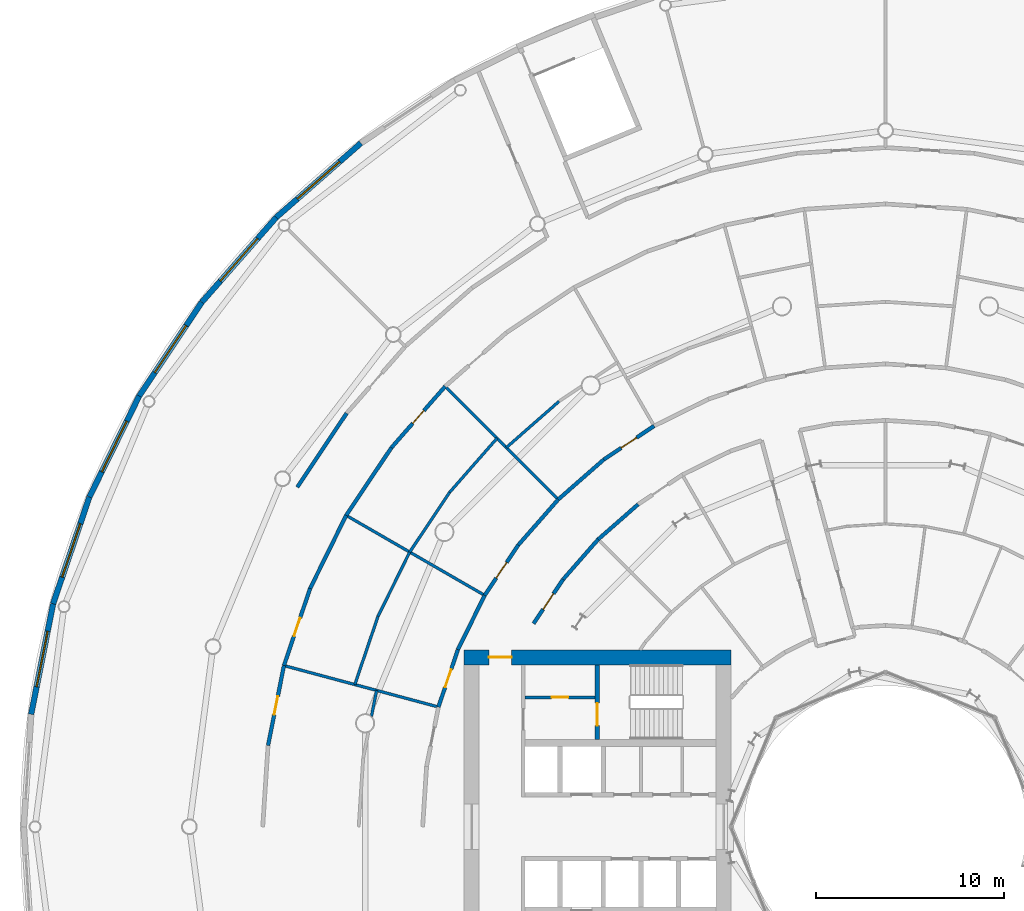
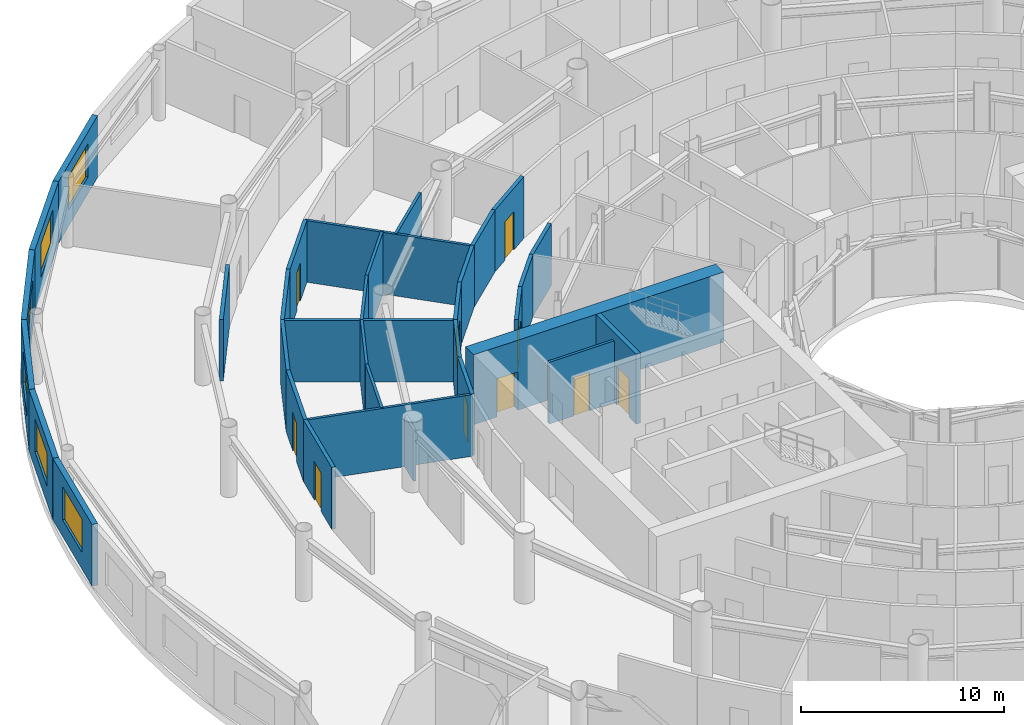
# One storey, part 19 of 29: 33 walls, 10 doors, 6 windows, 16 openings.
"""IFC4 building model written with IfcOpenShell, lengths in metres."""

from ifc_helpers import new_model, si_unit, direction, frame, frame_2d, origin, place, context, subcontext, project, spatial, rectangle, extrude, material, layer, layer_set, type_object, element, fill, save


model = new_model("IFC4")

# Units and contexts
model_context = context("Model", 3, precision=1e-05, world=origin(), true_north=direction((0.0, 1.0)))
body_context = subcontext(model_context, "Body", "Model", "MODEL_VIEW")
ifc_project = project(units=[si_unit("LENGTHUNIT", "METRE"), si_unit("AREAUNIT", "SQUARE_METRE"), si_unit("VOLUMEUNIT", "CUBIC_METRE"), si_unit("PLANEANGLEUNIT", "RADIAN"), si_unit("MASSUNIT", "GRAM", prefix="KILO")], contexts=[model_context])

# Site, building, storey
site_placement = place(None, origin())
site = spatial("IfcSite", under=ifc_project, at=site_placement, CompositionType="ELEMENT")
building_placement = place(site_placement, origin())
building = spatial("IfcBuilding", under=site, at=building_placement, Name="Maasbend Ring Residences", CompositionType="ELEMENT")
storey_placement = place(building_placement, frame((0.0, 0.0, 5.39990234375)))
storey = spatial("IfcBuildingStorey", under=building, at=storey_placement, Name="L01", CompositionType="ELEMENT", Elevation=5.39990234375)

# Wall, opening, door
ifc_material_1 = material(Name="Concrete C70/85", Category="concrete")
ifc_layer_1 = layer(ifc_material_1, 0.25)
ifc_layer_set_1 = layer_set([ifc_layer_1], Name="Concrete C70/85")
wall_type_1 = type_object("IfcWallType", Name="CORE WALL 250 C70/85", PredefinedType="SHEAR", material=ifc_layer_set_1)
wall_1_placement = place(storey_placement, frame((-15.324951171875, 8.60009765625, 0.0), z_axis=(0.0, 0.0, 1.0), x_axis=(0.0, -1.0, 0.0)))
wall_1 = element("IfcWall", 1, at=wall_1_placement, inside=storey, type_object=wall_type_1, Name="L01 core W wall STES", PredefinedType="SHEAR", context=body_context, shape_type="SweptSolid", body=[
    extrude(rectangle(XDim=3.9501953125, YDim=0.25, at=frame_2d((1.97509765625, 0.0))), origin(), (0.0, 0.0, 1.0), 4.2001953125),
])
opening_1_placement = place(wall_1_placement, frame((2.02490234375, 0.0, 0.0)))
opening_1 = element("IfcOpeningElement", 2, at=opening_1_placement, cuts=wall_1, Name="Opening D-W0111", PredefinedType="OPENING", context=body_context, shape_type="SweptSolid", body=[
    extrude(rectangle(XDim=1.199951171875, YDim=2.300048828125, at=frame_2d((0.60009765625, 1.14990234375))), frame((0.0, 0.135009765625, 0.0), z_axis=(0.0, -1.0, 0.0), x_axis=(1.0, 0.0, 0.0)), (0.0, 0.0, 1.0), 0.27001953125),
])
ifc_material_2 = material(Name="Steel, powder coated", Category="steel")
door_type_1 = type_object("IfcDoorType", Name="STAIR DOOR 1200 X 2300 FD60", OperationType="NOTDEFINED", PredefinedType="DOOR", material=ifc_material_2)
door_1_placement = place(opening_1_placement, origin())
door_1 = element("IfcDoor", 3, at=door_1_placement, inside=storey, type_object=door_type_1, Name="Stair door ST-W L01", OperationType="SINGLE_SWING_LEFT", OverallHeight=2.300048828125, OverallWidth=1.199951171875, PredefinedType="DOOR", context=body_context, shape_type="SweptSolid", body=[
    extrude(rectangle(XDim=1.199951171875, YDim=2.300048828125, at=frame_2d((0.60009765625, 1.14990234375))), frame((0.0, 0.02490234375, 0.0), z_axis=(0.0, -1.0, 0.0), x_axis=(1.0, 0.0, 0.0)), (0.0, 0.0, 1.0), 0.050048828125),
])
fill(opening_1, door_1)

ifc_material_3 = material(Name="Concrete C70/85", Category="concrete")
ifc_layer_2 = layer(ifc_material_3, 0.800048828125)
ifc_layer_set_2 = layer_set([ifc_layer_2], Name="Concrete C70/85")
wall_type_2 = type_object("IfcWallType", Name="CORE WALL 800 C70/85", PredefinedType="SHEAR", material=ifc_layer_set_2)
wall_2_placement = place(storey_placement, frame((-8.199951171875, 9.0, 0.0), z_axis=(0.0, 0.0, 1.0), x_axis=(-1.0, 0.0, 0.0)))
wall_2 = element("IfcWall", 4, at=wall_2_placement, inside=storey, type_object=wall_type_2, Name="L01 core W wall PS", PredefinedType="SHEAR", context=body_context, shape_type="SweptSolid", body=[
    extrude(rectangle(XDim=14.199951171875, YDim=0.800048828125, at=frame_2d((7.10009765625, 0.0))), origin(), (0.0, 0.0, 1.0), 4.2001953125),
])
opening_2_placement = place(wall_2_placement, frame((11.675048828125, 0.0, 0.0)))
opening_2 = element("IfcOpeningElement", 5, at=opening_2_placement, cuts=wall_2, Name="Opening D-W0115", PredefinedType="OPENING", context=body_context, shape_type="SweptSolid", body=[
    extrude(rectangle(XDim=1.199951171875, YDim=2.300048828125, at=frame_2d((0.60009765625, 1.14990234375))), frame((0.0, 0.41015625, 0.0), z_axis=(0.0, -1.0, 0.0), x_axis=(1.0, 0.0, 0.0)), (0.0, 0.0, 1.0), 0.820068359375),
])
ifc_material_4 = material(Name="Steel, powder coated", Category="steel")
door_type_2 = type_object("IfcDoorType", Name="CORRIDOR DOOR 1200 X 2300 FD30S", OperationType="NOTDEFINED", PredefinedType="DOOR", material=ifc_material_4)
door_2_placement = place(opening_2_placement, origin())
door_2 = element("IfcDoor", 6, at=door_2_placement, inside=storey, type_object=door_type_2, Name="Corridor door L01", OperationType="SINGLE_SWING_LEFT", OverallHeight=2.300048828125, OverallWidth=1.199951171875, PredefinedType="DOOR", context=body_context, shape_type="SweptSolid", body=[
    extrude(rectangle(XDim=1.199951171875, YDim=2.300048828125, at=frame_2d((0.60009765625, 1.14990234375))), frame((0.0, 0.02490234375, 0.0), z_axis=(0.0, -1.0, 0.0), x_axis=(1.0, 0.0, 0.0)), (0.0, 0.0, 1.0), 0.050048828125),
])
fill(opening_2, door_2)

ifc_material_5 = material(Name="Concrete C30/37", Category="concrete")
ifc_layer_3 = layer(ifc_material_5, 0.199951171875)
ifc_layer_set_3 = layer_set([ifc_layer_3], Name="Concrete C30/37")
wall_type_3 = type_object("IfcWallType", Name="CORRIDOR WALL 200 CONCRETE", PredefinedType="PARTITIONING", material=ifc_layer_set_3)
wall_3_placement = place(storey_placement, frame((-18.7060546875, 10.800048828125, 0.0), z_axis=(0.0, 0.0, 1.0), x_axis=(0.55571678686, 0.831371669473, 0.0)))
wall_3 = element("IfcWall", 7, at=wall_3_placement, inside=storey, type_object=wall_type_3, Name="U-L01-w224", PredefinedType="PARTITIONING", context=body_context, shape_type="SweptSolid", body=[
    extrude(rectangle(XDim=2.8251953125, YDim=0.199951171875, at=frame_2d((1.41259765625, 0.0))), origin(), (0.0, 0.0, 1.0), 3.7001953125),
])
opening_3_placement = place(wall_3_placement, frame((0.9130859375, 0.0, 0.0)))
opening_3 = element("IfcOpeningElement", 8, at=opening_3_placement, cuts=wall_3, Name="Opening D-0121", PredefinedType="OPENING", context=body_context, shape_type="SweptSolid", body=[
    extrude(rectangle(XDim=1.0, YDim=2.300048828125, at=frame_2d((0.5, 1.14990234375))), frame((0.0, 0.10986328125, 0.0), z_axis=(0.0, -1.0, 0.0), x_axis=(1.0, 0.0, 0.0)), (0.0, 0.0, 1.0), 0.219970703125),
])
ifc_material_6 = material(Name="Timber, painted", Category="wood")
door_type_3 = type_object("IfcDoorType", Name="ROOM DOOR 1000 X 2300", OperationType="NOTDEFINED", PredefinedType="DOOR", material=ifc_material_6)
door_3_placement = place(opening_3_placement, origin())
door_3 = element("IfcDoor", 9, at=door_3_placement, inside=storey, type_object=door_type_3, Name="D-0121", OperationType="SINGLE_SWING_RIGHT", OverallHeight=2.300048828125, OverallWidth=1.0, PredefinedType="DOOR", context=body_context, shape_type="SweptSolid", body=[
    extrude(rectangle(XDim=1.0, YDim=2.300048828125, at=frame_2d((0.5, 1.14990234375))), frame((0.0, 0.02490234375, 0.0), z_axis=(0.0, -1.0, 0.0), x_axis=(1.0, 0.0, 0.0)), (0.0, 0.0, 1.0), 0.050048828125),
])
fill(opening_3, door_3)

# Walls
for number, where, z_axis, x_axis, name in (
    (10, (-17.135986328125, 13.14892578125, 0.0), (0.0, 0.0, 1.0), (0.659042776199, 0.752105457459, 0.0), "U-L01-w225"),
    (11, (-15.27392578125, 15.27392578125, 0.0), (0.0, 0.0, 1.0), (0.752105457459, 0.659042776199, 0.0), "U-L01-w226"),
):
    element("IfcWall", number, at=place(storey_placement, frame(where, z_axis=z_axis, x_axis=x_axis)), inside=storey, type_object=wall_type_3, Name=name, PredefinedType="PARTITIONING", context=body_context, shape_type="SweptSolid", body=[
        extrude(rectangle(XDim=2.825439453125, YDim=0.199951171875, at=frame_2d((1.41259765625, 0.0))), origin(), (0.0, 0.0, 1.0), 3.7001953125),
    ])

# Wall, opening, door
wall_4_placement = place(storey_placement, frame((-23.761962890625, 6.366943359375, 0.0), z_axis=(0.0, 0.0, 1.0), x_axis=(0.321593976879, 0.946877665823, 0.0)))
wall_4 = element("IfcWall", 12, at=wall_4_placement, inside=storey, type_object=wall_type_3, Name="U-L01-w242", PredefinedType="PARTITIONING", context=body_context, shape_type="SweptSolid", body=[
    extrude(rectangle(XDim=3.218017578125, YDim=0.199951171875, at=frame_2d((1.60888671875, 0.0))), origin(), (0.0, 0.0, 1.0), 3.7001953125),
])
opening_4_placement = place(wall_4_placement, frame((1.10888671875, 0.0, 0.0)))
opening_4 = element("IfcOpeningElement", 13, at=opening_4_placement, cuts=wall_4, Name="Opening D-0150", PredefinedType="OPENING", context=body_context, shape_type="SweptSolid", body=[
    extrude(rectangle(XDim=1.0, YDim=2.300048828125, at=frame_2d((0.5, 1.14990234375))), frame((0.0, 0.10986328125, 0.0), z_axis=(0.0, -1.0, 0.0), x_axis=(1.0, 0.0, 0.0)), (0.0, 0.0, 1.0), 0.219970703125),
])
door_4_placement = place(opening_4_placement, origin())
door_4 = element("IfcDoor", 14, at=door_4_placement, inside=storey, type_object=door_type_3, Name="D-0150", OperationType="SINGLE_SWING_LEFT", OverallHeight=2.300048828125, OverallWidth=1.0, PredefinedType="DOOR", context=body_context, shape_type="SweptSolid", body=[
    extrude(rectangle(XDim=1.0, YDim=2.300048828125, at=frame_2d((0.5, 1.14990234375))), frame((0.0, 0.02490234375, 0.0), z_axis=(0.0, -1.0, 0.0), x_axis=(1.0, 0.0, 0.0)), (0.0, 0.0, 1.0), 0.050048828125),
])
fill(opening_4, door_4)

# Wall
wall_5_placement = place(storey_placement, frame((-22.72705078125, 9.4140625, 0.0), z_axis=(0.0, 0.0, 1.0), x_axis=(0.442259878763, 0.896886949195, 0.0)))
element("IfcWall", 15, at=wall_5_placement, inside=storey, type_object=wall_type_3, Name="U-L01-w243", PredefinedType="PARTITIONING", context=body_context, shape_type="SweptSolid", body=[
    extrude(rectangle(XDim=3.2177734375, YDim=0.199951171875, at=frame_2d((1.60888671875, 0.0))), origin(), (0.0, 0.0, 1.0), 3.7001953125),
])

# Wall, opening, door
wall_6_placement = place(storey_placement, frame((-21.303955078125, 12.300048828125, 0.0), z_axis=(0.0, 0.0, 1.0), x_axis=(0.555522714148, 0.831501361433, 0.0)))
wall_6 = element("IfcWall", 16, at=wall_6_placement, inside=storey, type_object=wall_type_3, Name="U-L01-w244", PredefinedType="PARTITIONING", context=body_context, shape_type="SweptSolid", body=[
    extrude(rectangle(XDim=3.21826171875, YDim=0.199951171875, at=frame_2d((1.609130859375, 0.0))), origin(), (0.0, 0.0, 1.0), 3.7001953125),
])
opening_5_placement = place(wall_6_placement, frame((1.10888671875, 0.0, 0.0)))
opening_5 = element("IfcOpeningElement", 17, at=opening_5_placement, cuts=wall_6, Name="Opening D-0148", PredefinedType="OPENING", context=body_context, shape_type="SweptSolid", body=[
    extrude(rectangle(XDim=1.0, YDim=2.300048828125, at=frame_2d((0.5, 1.14990234375))), frame((0.0, 0.10986328125, 0.0), z_axis=(0.0, -1.0, 0.0), x_axis=(1.0, 0.0, 0.0)), (0.0, 0.0, 1.0), 0.219970703125),
])
door_5_placement = place(opening_5_placement, origin())
door_5 = element("IfcDoor", 18, at=door_5_placement, inside=storey, type_object=door_type_3, Name="D-0148", OperationType="SINGLE_SWING_LEFT", OverallHeight=2.300048828125, OverallWidth=1.0, PredefinedType="DOOR", context=body_context, shape_type="SweptSolid", body=[
    extrude(rectangle(XDim=1.0, YDim=2.300048828125, at=frame_2d((0.5, 1.14990234375))), frame((0.0, 0.02490234375, 0.0), z_axis=(0.0, -1.0, 0.0), x_axis=(1.0, 0.0, 0.0)), (0.0, 0.0, 1.0), 0.050048828125),
])
fill(opening_5, door_5)

# Walls
for number, where, z_axis, x_axis, name in (
    (19, (-19.51611328125, 14.97607421875, 0.0), (0.0, 0.0, 1.0), (0.659299366608, 0.751880539175, 0.0), "U-L01-w245"),
    (20, (-17.39501953125, 17.39501953125, 0.0), (0.0, 0.0, 1.0), (0.751880539175, 0.659299366608, 0.0), "U-L01-w246"),
):
    element("IfcWall", number, at=place(storey_placement, frame(where, z_axis=z_axis, x_axis=x_axis)), inside=storey, type_object=wall_type_3, Name=name, PredefinedType="PARTITIONING", context=body_context, shape_type="SweptSolid", body=[
        extrude(rectangle(XDim=3.21728515625, YDim=0.199951171875, at=frame_2d((1.608642578125, 0.0))), origin(), (0.0, 0.0, 1.0), 3.7001953125),
    ])

# Wall, opening, door
wall_7_placement = place(storey_placement, frame((-14.97607421875, 19.51611328125, 0.0), z_axis=(0.0, 0.0, 1.0), x_axis=(0.831501361433, 0.555522714148, 0.0)))
wall_7 = element("IfcWall", 21, at=wall_7_placement, inside=storey, type_object=wall_type_3, Name="U-L01-w247", PredefinedType="PARTITIONING", context=body_context, shape_type="SweptSolid", body=[
    extrude(rectangle(XDim=3.21826171875, YDim=0.199951171875, at=frame_2d((1.609130859375, 0.0))), origin(), (0.0, 0.0, 1.0), 3.7001953125),
])
opening_6_placement = place(wall_7_placement, frame((1.10888671875, 0.0, 0.0)))
opening_6 = element("IfcOpeningElement", 22, at=opening_6_placement, cuts=wall_7, Name="Opening D-0146", PredefinedType="OPENING", context=body_context, shape_type="SweptSolid", body=[
    extrude(rectangle(XDim=1.0, YDim=2.300048828125, at=frame_2d((0.5, 1.14990234375))), frame((0.0, 0.10986328125, 0.0), z_axis=(0.0, -1.0, 0.0), x_axis=(1.0, 0.0, 0.0)), (0.0, 0.0, 1.0), 0.219970703125),
])
door_6_placement = place(opening_6_placement, origin())
door_6 = element("IfcDoor", 23, at=door_6_placement, inside=storey, type_object=door_type_3, Name="D-0146", OperationType="SINGLE_SWING_LEFT", OverallHeight=2.300048828125, OverallWidth=1.0, PredefinedType="DOOR", context=body_context, shape_type="SweptSolid", body=[
    extrude(rectangle(XDim=1.0, YDim=2.300048828125, at=frame_2d((0.5, 1.14990234375))), frame((0.0, 0.02490234375, 0.0), z_axis=(0.0, -1.0, 0.0), x_axis=(1.0, 0.0, 0.0)), (0.0, 0.0, 1.0), 0.050048828125),
])
fill(opening_6, door_6)

wall_8_placement = place(storey_placement, frame((-32.81689453125, 4.320068359375, 0.0), z_axis=(0.0, 0.0, 1.0), x_axis=(0.195140185298, 0.980775360662, 0.0)))
wall_8 = element("IfcWall", 24, at=wall_8_placement, inside=storey, type_object=wall_type_3, Name="U-L01-w284", PredefinedType="PARTITIONING", context=body_context, shape_type="SweptSolid", body=[
    extrude(rectangle(XDim=4.330078125, YDim=0.199951171875, at=frame_2d((2.1650390625, 0.0))), origin(), (0.0, 0.0, 1.0), 3.7001953125),
])
opening_7_placement = place(wall_8_placement, frame((1.6650390625, 0.0, 0.0)))
opening_7 = element("IfcOpeningElement", 25, at=opening_7_placement, cuts=wall_8, Name="Opening D-0153", PredefinedType="OPENING", context=body_context, shape_type="SweptSolid", body=[
    extrude(rectangle(XDim=1.0, YDim=2.300048828125, at=frame_2d((0.5, 1.14990234375))), frame((0.0, 0.10986328125, 0.0), z_axis=(0.0, -1.0, 0.0), x_axis=(1.0, 0.0, 0.0)), (0.0, 0.0, 1.0), 0.219970703125),
])
door_7_placement = place(opening_7_placement, origin())
door_7 = element("IfcDoor", 26, at=door_7_placement, inside=storey, type_object=door_type_3, Name="D-0153", OperationType="SINGLE_SWING_RIGHT", OverallHeight=2.300048828125, OverallWidth=1.0, PredefinedType="DOOR", context=body_context, shape_type="SweptSolid", body=[
    extrude(rectangle(XDim=1.0, YDim=2.300048828125, at=frame_2d((0.5, 1.14990234375))), frame((0.0, 0.02490234375, 0.0), z_axis=(0.0, -1.0, 0.0), x_axis=(1.0, 0.0, 0.0)), (0.0, 0.0, 1.0), 0.050048828125),
])
fill(opening_7, door_7)

wall_9_placement = place(storey_placement, frame((-31.971923828125, 8.56689453125, 0.0), z_axis=(0.0, 0.0, 1.0), x_axis=(0.3214498388, 0.946926608104, 0.0)))
wall_9 = element("IfcWall", 27, at=wall_9_placement, inside=storey, type_object=wall_type_3, Name="U-L01-w285", PredefinedType="PARTITIONING", context=body_context, shape_type="SweptSolid", body=[
    extrude(rectangle(XDim=4.329833984375, YDim=0.199951171875, at=frame_2d((2.1650390625, 0.0))), origin(), (0.0, 0.0, 1.0), 3.7001953125),
])
opening_8_placement = place(wall_9_placement, frame((1.6650390625, 0.0, 0.0)))
opening_8 = element("IfcOpeningElement", 28, at=opening_8_placement, cuts=wall_9, Name="Opening D-0151", PredefinedType="OPENING", context=body_context, shape_type="SweptSolid", body=[
    extrude(rectangle(XDim=1.0, YDim=2.300048828125, at=frame_2d((0.5, 1.14990234375))), frame((0.0, 0.10986328125, 0.0), z_axis=(0.0, -1.0, 0.0), x_axis=(1.0, 0.0, 0.0)), (0.0, 0.0, 1.0), 0.219970703125),
])
door_8_placement = place(opening_8_placement, origin())
door_8 = element("IfcDoor", 29, at=door_8_placement, inside=storey, type_object=door_type_3, Name="D-0151", OperationType="SINGLE_SWING_RIGHT", OverallHeight=2.300048828125, OverallWidth=1.0, PredefinedType="DOOR", context=body_context, shape_type="SweptSolid", body=[
    extrude(rectangle(XDim=1.0, YDim=2.300048828125, at=frame_2d((0.5, 1.14990234375))), frame((0.0, 0.02490234375, 0.0), z_axis=(0.0, -1.0, 0.0), x_axis=(1.0, 0.0, 0.0)), (0.0, 0.0, 1.0), 0.050048828125),
])
fill(opening_8, door_8)

# Walls
wall_10_placement = place(storey_placement, frame((-30.580078125, 12.6669921875, 0.0), z_axis=(0.0, 0.0, 1.0), x_axis=(0.442312366853, 0.89686106512, 0.0)))
element("IfcWall", 30, at=wall_10_placement, inside=storey, type_object=wall_type_3, Name="U-L01-w286", PredefinedType="PARTITIONING", context=body_context, shape_type="SweptSolid", body=[
    extrude(rectangle(XDim=4.32958984375, YDim=0.199951171875, at=frame_2d((2.164794921875, 0.0))), origin(), (0.0, 0.0, 1.0), 3.7001953125),
])
wall_11_placement = place(storey_placement, frame((-28.6650390625, 16.550048828125, 0.0), z_axis=(0.0, 0.0, 1.0), x_axis=(0.555519783102, 0.831503319646, 0.0)))
element("IfcWall", 31, at=wall_11_placement, inside=storey, type_object=wall_type_3, Name="U-L01-w287", PredefinedType="PARTITIONING", context=body_context, shape_type="SweptSolid", body=[
    extrude(rectangle(XDim=4.329345703125, YDim=0.199951171875, at=frame_2d((2.16455078125, 0.0))), origin(), (0.0, 0.0, 1.0), 3.7001953125),
])

# Wall, opening, door
wall_12_placement = place(storey_placement, frame((-26.260009765625, 20.14990234375, 0.0), z_axis=(0.0, 0.0, 1.0), x_axis=(0.659386383125, 0.75180422834, 0.0)))
wall_12 = element("IfcWall", 32, at=wall_12_placement, inside=storey, type_object=wall_type_3, Name="U-L01-w288", PredefinedType="PARTITIONING", context=body_context, shape_type="SweptSolid", body=[
    extrude(rectangle(XDim=4.329833984375, YDim=0.199951171875, at=frame_2d((2.1650390625, 0.0))), origin(), (0.0, 0.0, 1.0), 3.7001953125),
])
opening_9_placement = place(wall_12_placement, frame((1.715087890625, 0.0, 0.0)))
opening_9 = element("IfcOpeningElement", 33, at=opening_9_placement, cuts=wall_12, Name="Opening D-0149", PredefinedType="OPENING", context=body_context, shape_type="SweptSolid", body=[
    extrude(rectangle(XDim=0.89990234375, YDim=2.300048828125, at=frame_2d((0.449951171875, 1.14990234375))), frame((0.0, 0.10986328125, 0.0), z_axis=(0.0, -1.0, 0.0), x_axis=(1.0, 0.0, 0.0)), (0.0, 0.0, 1.0), 0.219970703125),
])
ifc_material_7 = material(Name="Steel, fire-rated, painted", Category="steel")
door_type_4 = type_object("IfcDoorType", Name="SERVICE DOOR 900 X 2300 FIRE-RATED", OperationType="NOTDEFINED", PredefinedType="DOOR", material=ifc_material_7)
door_9_placement = place(opening_9_placement, origin())
door_9 = element("IfcDoor", 34, at=door_9_placement, inside=storey, type_object=door_type_4, Name="D-0149", OperationType="SINGLE_SWING_RIGHT", OverallHeight=2.300048828125, OverallWidth=0.89990234375, PredefinedType="DOOR", context=body_context, shape_type="SweptSolid", body=[
    extrude(rectangle(XDim=0.89990234375, YDim=2.300048828125, at=frame_2d((0.449951171875, 1.14990234375))), frame((0.0, 0.02490234375, 0.0), z_axis=(0.0, -1.0, 0.0), x_axis=(1.0, 0.0, 0.0)), (0.0, 0.0, 1.0), 0.050048828125),
])
fill(opening_9, door_9)

# Wall
wall_13_placement = place(storey_placement, frame((-31.263916015625, 18.050048828125, 0.0), z_axis=(0.0, 0.0, 1.0), x_axis=(0.555678147384, 0.831397496099, 0.0)))
element("IfcWall", 35, at=wall_13_placement, inside=storey, type_object=wall_type_3, Name="U-L01-w303", PredefinedType="PARTITIONING", context=body_context, shape_type="SweptSolid", body=[
    extrude(rectangle(XDim=4.72216796875, YDim=0.199951171875, at=frame_2d((2.361083984375, 0.0))), origin(), (0.0, 0.0, 1.0), 3.7001953125),
])

# Wall, opening, window
ifc_material_8 = material(Name="Pale anodised aluminium panel", Category="aluminium")
ifc_layer_4 = layer(ifc_material_8, 0.300048828125)
ifc_layer_set_4 = layer_set([ifc_layer_4], Name="EW-BASE")
wall_type_4 = type_object("IfcWallType", Name="EW-BASE", PredefinedType="SOLIDWALL", material=ifc_layer_set_4)
wall_14_placement = place(storey_placement, frame((-27.881103515625, 36.3359375, 0.0), z_axis=(0.0, 0.0, 1.0), x_axis=(-0.751748126189, -0.659450342916, 0.0)))
wall_14 = element("IfcWall", 36, at=wall_14_placement, inside=storey, type_object=wall_type_4, Name="Base block wall 18", PredefinedType="SOLIDWALL", context=body_context, shape_type="SweptSolid", body=[
    extrude(rectangle(XDim=5.9912109375, YDim=0.300048828125, at=frame_2d((2.99560546875, 0.0))), origin(), (0.0, 0.0, 1.0), 3.7001953125),
])
opening_10_placement = place(wall_14_placement, frame((1.495361328125, 0.0, 1.0)))
opening_10 = element("IfcOpeningElement", 37, at=opening_10_placement, cuts=wall_14, Name="Opening W-PB", PredefinedType="OPENING", context=body_context, shape_type="SweptSolid", body=[
    extrude(rectangle(XDim=3.0, YDim=2.0, at=frame_2d((1.5, 1.0))), frame((0.0, 0.16015625, 0.0), z_axis=(0.0, -1.0, 0.0), x_axis=(1.0, 0.0, 0.0)), (0.0, 0.0, 1.0), 0.320068359375),
])
ifc_material_9 = material(Name="Aluminium and clear glass", Category="aluminium")
window_type = type_object("IfcWindowType", Name="W-PB", PartitioningType="SINGLE_PANEL", PredefinedType="WINDOW", material=ifc_material_9)
window_1_placement = place(opening_10_placement, origin())
window_1 = element("IfcWindow", 38, at=window_1_placement, inside=storey, type_object=window_type, Name="Base block window 18", OverallHeight=2.0, OverallWidth=3.0, PartitioningType="SINGLE_PANEL", PredefinedType="WINDOW", context=body_context, shape_type="SweptSolid", body=[
    extrude(rectangle(XDim=3.0, YDim=2.0, at=frame_2d((1.5, 1.0))), frame((0.0, 0.030029296875, 0.0), z_axis=(0.0, -1.0, 0.0), x_axis=(1.0, 0.0, 0.0)), (0.0, 0.0, 1.0), 0.06005859375),
])
fill(opening_10, window_1)

wall_15_placement = place(storey_placement, frame((-32.385009765625, 32.385009765625, 0.0), z_axis=(0.0, 0.0, 1.0), x_axis=(-0.659450342916, -0.751748126189, 0.0)))
wall_15 = element("IfcWall", 39, at=wall_15_placement, inside=storey, type_object=wall_type_4, Name="Base block wall 19", PredefinedType="SOLIDWALL", context=body_context, shape_type="SweptSolid", body=[
    extrude(rectangle(XDim=5.9912109375, YDim=0.300048828125, at=frame_2d((2.99560546875, 0.0))), origin(), (0.0, 0.0, 1.0), 3.7001953125),
])
opening_11_placement = place(wall_15_placement, frame((1.495361328125, 0.0, 1.0)))
opening_11 = element("IfcOpeningElement", 40, at=opening_11_placement, cuts=wall_15, Name="Opening W-PB", PredefinedType="OPENING", context=body_context, shape_type="SweptSolid", body=[
    extrude(rectangle(XDim=3.0, YDim=2.0, at=frame_2d((1.5, 1.0))), frame((0.0, 0.16015625, 0.0), z_axis=(0.0, -1.0, 0.0), x_axis=(1.0, 0.0, 0.0)), (0.0, 0.0, 1.0), 0.320068359375),
])
window_2_placement = place(opening_11_placement, origin())
window_2 = element("IfcWindow", 41, at=window_2_placement, inside=storey, type_object=window_type, Name="Base block window 19", OverallHeight=2.0, OverallWidth=3.0, PartitioningType="SINGLE_PANEL", PredefinedType="WINDOW", context=body_context, shape_type="SweptSolid", body=[
    extrude(rectangle(XDim=3.0, YDim=2.0, at=frame_2d((1.5, 1.0))), frame((0.0, 0.030029296875, 0.0), z_axis=(0.0, -1.0, 0.0), x_axis=(1.0, 0.0, 0.0)), (0.0, 0.0, 1.0), 0.06005859375),
])
fill(opening_11, window_2)

wall_16_placement = place(storey_placement, frame((-36.3359375, 27.881103515625, 0.0), z_axis=(0.0, 0.0, 1.0), x_axis=(-0.55554631985, -0.831485590074, 0.0)))
wall_16 = element("IfcWall", 42, at=wall_16_placement, inside=storey, type_object=wall_type_4, Name="Base block wall 20", PredefinedType="SOLIDWALL", context=body_context, shape_type="SweptSolid", body=[
    extrude(rectangle(XDim=5.99072265625, YDim=0.300048828125, at=frame_2d((2.995361328125, 0.0))), origin(), (0.0, 0.0, 1.0), 3.7001953125),
])
opening_12_placement = place(wall_16_placement, frame((1.495361328125, 0.0, 1.0)))
opening_12 = element("IfcOpeningElement", 43, at=opening_12_placement, cuts=wall_16, Name="Opening W-PB", PredefinedType="OPENING", context=body_context, shape_type="SweptSolid", body=[
    extrude(rectangle(XDim=3.0, YDim=2.0, at=frame_2d((1.5, 1.0))), frame((0.0, 0.16015625, 0.0), z_axis=(0.0, -1.0, 0.0), x_axis=(1.0, 0.0, 0.0)), (0.0, 0.0, 1.0), 0.320068359375),
])
window_3_placement = place(opening_12_placement, origin())
window_3 = element("IfcWindow", 44, at=window_3_placement, inside=storey, type_object=window_type, Name="Base block window 20", OverallHeight=2.0, OverallWidth=3.0, PartitioningType="SINGLE_PANEL", PredefinedType="WINDOW", context=body_context, shape_type="SweptSolid", body=[
    extrude(rectangle(XDim=3.0, YDim=2.0, at=frame_2d((1.5, 1.0))), frame((0.0, 0.030029296875, 0.0), z_axis=(0.0, -1.0, 0.0), x_axis=(1.0, 0.0, 0.0)), (0.0, 0.0, 1.0), 0.06005859375),
])
fill(opening_12, window_3)

wall_17_placement = place(storey_placement, frame((-39.6640625, 22.89990234375, 0.0), z_axis=(0.0, 0.0, 1.0), x_axis=(-0.44233289833, -0.896850939151, 0.0)))
wall_17 = element("IfcWall", 45, at=wall_17_placement, inside=storey, type_object=wall_type_4, Name="Base block wall 21", PredefinedType="SOLIDWALL", context=body_context, shape_type="SweptSolid", body=[
    extrude(rectangle(XDim=5.99072265625, YDim=0.300048828125, at=frame_2d((2.995361328125, 0.0))), origin(), (0.0, 0.0, 1.0), 3.7001953125),
])
opening_13_placement = place(wall_17_placement, frame((1.495361328125, 0.0, 1.0)))
opening_13 = element("IfcOpeningElement", 46, at=opening_13_placement, cuts=wall_17, Name="Opening W-PB", PredefinedType="OPENING", context=body_context, shape_type="SweptSolid", body=[
    extrude(rectangle(XDim=3.0, YDim=2.0, at=frame_2d((1.5, 1.0))), frame((0.0, 0.16015625, 0.0), z_axis=(0.0, -1.0, 0.0), x_axis=(1.0, 0.0, 0.0)), (0.0, 0.0, 1.0), 0.320068359375),
])
window_4_placement = place(opening_13_placement, origin())
window_4 = element("IfcWindow", 47, at=window_4_placement, inside=storey, type_object=window_type, Name="Base block window 21", OverallHeight=2.0, OverallWidth=3.0, PartitioningType="SINGLE_PANEL", PredefinedType="WINDOW", context=body_context, shape_type="SweptSolid", body=[
    extrude(rectangle(XDim=3.0, YDim=2.0, at=frame_2d((1.5, 1.0))), frame((0.0, 0.030029296875, 0.0), z_axis=(0.0, -1.0, 0.0), x_axis=(1.0, 0.0, 0.0)), (0.0, 0.0, 1.0), 0.06005859375),
])
fill(opening_13, window_4)

wall_18_placement = place(storey_placement, frame((-42.31396484375, 17.527099609375, 0.0), z_axis=(0.0, 0.0, 1.0), x_axis=(-0.321333542675, -0.946966078776, 0.0)))
wall_18 = element("IfcWall", 48, at=wall_18_placement, inside=storey, type_object=wall_type_4, Name="Base block wall 22", PredefinedType="SOLIDWALL", context=body_context, shape_type="SweptSolid", body=[
    extrude(rectangle(XDim=5.99072265625, YDim=0.300048828125, at=frame_2d((2.995361328125, 0.0))), origin(), (0.0, 0.0, 1.0), 3.7001953125),
])
opening_14_placement = place(wall_18_placement, frame((1.495361328125, 0.0, 1.0)))
opening_14 = element("IfcOpeningElement", 49, at=opening_14_placement, cuts=wall_18, Name="Opening W-PB", PredefinedType="OPENING", context=body_context, shape_type="SweptSolid", body=[
    extrude(rectangle(XDim=3.0, YDim=2.0, at=frame_2d((1.5, 1.0))), frame((0.0, 0.16015625, 0.0), z_axis=(0.0, -1.0, 0.0), x_axis=(1.0, 0.0, 0.0)), (0.0, 0.0, 1.0), 0.320068359375),
])
window_5_placement = place(opening_14_placement, origin())
window_5 = element("IfcWindow", 50, at=window_5_placement, inside=storey, type_object=window_type, Name="Base block window 22", OverallHeight=2.0, OverallWidth=3.0, PartitioningType="SINGLE_PANEL", PredefinedType="WINDOW", context=body_context, shape_type="SweptSolid", body=[
    extrude(rectangle(XDim=3.0, YDim=2.0, at=frame_2d((1.5, 1.0))), frame((0.0, 0.030029296875, 0.0), z_axis=(0.0, -1.0, 0.0), x_axis=(1.0, 0.0, 0.0)), (0.0, 0.0, 1.0), 0.06005859375),
])
fill(opening_14, window_5)

wall_19_placement = place(storey_placement, frame((-44.239013671875, 11.85400390625, 0.0), z_axis=(0.0, 0.0, 1.0), x_axis=(-0.195112945602, -0.980780780021, 0.0)))
wall_19 = element("IfcWall", 51, at=wall_19_placement, inside=storey, type_object=wall_type_4, Name="Base block wall 23", PredefinedType="SOLIDWALL", context=body_context, shape_type="SweptSolid", body=[
    extrude(rectangle(XDim=5.9912109375, YDim=0.300048828125, at=frame_2d((2.99560546875, 0.0))), origin(), (0.0, 0.0, 1.0), 3.7001953125),
])
opening_15_placement = place(wall_19_placement, frame((1.495361328125, 0.0, 1.0)))
opening_15 = element("IfcOpeningElement", 52, at=opening_15_placement, cuts=wall_19, Name="Opening W-PB", PredefinedType="OPENING", context=body_context, shape_type="SweptSolid", body=[
    extrude(rectangle(XDim=3.0, YDim=2.0, at=frame_2d((1.5, 1.0))), frame((0.0, 0.16015625, 0.0), z_axis=(0.0, -1.0, 0.0), x_axis=(1.0, 0.0, 0.0)), (0.0, 0.0, 1.0), 0.320068359375),
])
window_6_placement = place(opening_15_placement, origin())
window_6 = element("IfcWindow", 53, at=window_6_placement, inside=storey, type_object=window_type, Name="Base block window 23", OverallHeight=2.0, OverallWidth=3.0, PartitioningType="SINGLE_PANEL", PredefinedType="WINDOW", context=body_context, shape_type="SweptSolid", body=[
    extrude(rectangle(XDim=3.0, YDim=2.0, at=frame_2d((1.5, 1.0))), frame((0.0, 0.030029296875, 0.0), z_axis=(0.0, -1.0, 0.0), x_axis=(1.0, 0.0, 0.0)), (0.0, 0.0, 1.0), 0.06005859375),
])
fill(opening_15, window_6)

# Wall, opening, door
ifc_material_10 = material(Name="Gypsum board on steel studs", Category="steel")
ifc_layer_5 = layer(ifc_material_10, 0.14990234375)
ifc_layer_set_5 = layer_set([ifc_layer_5], Name="PARTITION 150 EI 60")
wall_type_5 = type_object("IfcWallType", Name="PARTITION 150 EI 60", PredefinedType="PARTITIONING", material=ifc_layer_set_5)
wall_20_placement = place(storey_placement, frame((-15.449951171875, 6.875, 0.0), z_axis=(0.0, 0.0, 1.0), x_axis=(-1.0, 0.0, 0.0)))
wall_20 = element("IfcWall", 54, at=wall_20_placement, inside=storey, type_object=wall_type_5, Name="L01 core W wall RHS", PredefinedType="PARTITIONING", context=body_context, shape_type="SweptSolid", body=[
    extrude(rectangle(XDim=3.699951171875, YDim=0.14990234375, at=frame_2d((1.85009765625, 0.0))), origin(), (0.0, 0.0, 1.0), 3.7001953125),
])
opening_16_placement = place(wall_20_placement, frame((1.39990234375, 0.0, 0.0)))
opening_16 = element("IfcOpeningElement", 55, at=opening_16_placement, cuts=wall_20, Name="Opening D-W0109", PredefinedType="OPENING", context=body_context, shape_type="SweptSolid", body=[
    extrude(rectangle(XDim=0.89990234375, YDim=2.300048828125, at=frame_2d((0.449951171875, 1.14990234375))), frame((0.0, 0.0849609375, 0.0), z_axis=(0.0, -1.0, 0.0), x_axis=(1.0, 0.0, 0.0)), (0.0, 0.0, 1.0), 0.169921875),
])
ifc_material_11 = material(Name="Steel, powder coated", Category="steel")
door_type_5 = type_object("IfcDoorType", Name="RISER DOOR 900 X 2300 FD60", OperationType="NOTDEFINED", PredefinedType="DOOR", material=ifc_material_11)
door_10_placement = place(opening_16_placement, origin())
door_10 = element("IfcDoor", 56, at=door_10_placement, inside=storey, type_object=door_type_5, Name="Riser door L01", OperationType="SINGLE_SWING_LEFT", OverallHeight=2.300048828125, OverallWidth=0.89990234375, PredefinedType="DOOR", context=body_context, shape_type="SweptSolid", body=[
    extrude(rectangle(XDim=0.89990234375, YDim=2.300048828125, at=frame_2d((0.449951171875, 1.14990234375))), frame((0.0, 0.02490234375, 0.0), z_axis=(0.0, -1.0, 0.0), x_axis=(1.0, 0.0, 0.0)), (0.0, 0.0, 1.0), 0.050048828125),
])
fill(opening_16, door_10)

# Walls
ifc_material_12 = material(Name="Gypsum board on steel studs", Category="steel")
ifc_layer_6 = layer(ifc_material_12, 0.14990234375)
ifc_layer_set_6 = layer_set([ifc_layer_6], Name="PARTITION 150 GYPSUM")
wall_type_6 = type_object("IfcWallType", Name="PARTITION 150 GYPSUM", PredefinedType="PARTITIONING", material=ifc_layer_set_6)
for number, where, z_axis, x_axis, name in (
    (57, (-31.971923828125, 8.568115234375, 0.0), (0.0, 0.0, 1.0), (0.965887007062, -0.258963876997, 0.0), "U-L01-w132"),
    (58, (-28.6650390625, 16.550048828125, 0.0), (0.0, 0.0, 1.0), (0.866021522889, -0.500006721848, 0.0), "U-L01-w134"),
):
    element("IfcWall", number, at=place(storey_placement, frame(where, z_axis=z_axis, x_axis=x_axis)), inside=storey, type_object=wall_type_6, Name=name, PredefinedType="PARTITIONING", context=body_context, shape_type="SweptSolid", body=[
        extrude(rectangle(XDim=8.5, YDim=0.14990234375, at=frame_2d((4.25, 0.0))), origin(), (0.0, 0.0, 1.0), 3.7001953125),
    ])
wall_21_placement = place(storey_placement, frame((-23.405029296875, 23.405029296875, 0.0), z_axis=(0.0, 0.0, 1.0), x_axis=(0.707106781187, -0.707106781187, 0.0)))
element("IfcWall", 59, at=wall_21_placement, inside=storey, type_object=wall_type_6, Name="U-L01-w137", PredefinedType="PARTITIONING", context=body_context, shape_type="SweptSolid", body=[
    extrude(rectangle(XDim=8.49951171875, YDim=0.14990234375, at=frame_2d((4.249755859375, 0.0))), origin(), (0.0, 0.0, 1.0), 3.7001953125),
])
wall_22_placement = place(storey_placement, frame((-27.319091796875, 5.8740234375, 0.0), z_axis=(0.0, 0.0, 1.0), x_axis=(0.19514347376, 0.980774706367, 0.0)))
element("IfcWall", 60, at=wall_22_placement, inside=storey, type_object=wall_type_6, Name="U-L01-w266", PredefinedType="PARTITIONING", context=body_context, shape_type="SweptSolid", body=[
    extrude(rectangle(XDim=1.39990234375, YDim=0.14990234375, at=frame_2d((0.699951171875, 0.0))), origin(), (0.0, 0.0, 1.0), 3.080078125),
])
wall_23_placement = place(storey_placement, frame((-20.153076171875, 20.153076171875, 0.0), z_axis=(0.0, 0.0, 1.0), x_axis=(0.751858206554, 0.659324834386, 0.0)))
element("IfcWall", 61, at=wall_23_placement, inside=storey, type_object=wall_type_6, Name="U-L01-w270", PredefinedType="PARTITIONING", context=body_context, shape_type="SweptSolid", body=[
    extrude(rectangle(XDim=3.72802734375, YDim=0.14990234375, at=frame_2d((1.864013671875, 0.0))), origin(), (0.0, 0.0, 1.0), 3.7001953125),
])
wall_24_placement = place(storey_placement, frame((-28.205078125, 7.55810546875, 0.0), z_axis=(0.0, 0.0, 1.0), x_axis=(0.321573774313, 0.946884527107, 0.0)))
element("IfcWall", 62, at=wall_24_placement, inside=storey, type_object=wall_type_6, Name="U-L01-w273", PredefinedType="PARTITIONING", context=body_context, shape_type="SweptSolid", body=[
    extrude(rectangle(XDim=3.81884765625, YDim=0.14990234375, at=frame_2d((1.909423828125, 0.0))), origin(), (0.0, 0.0, 1.0), 3.7001953125),
])
wall_25_placement = place(storey_placement, frame((-26.97705078125, 11.174072265625, 0.0), z_axis=(0.0, 0.0, 1.0), x_axis=(0.442169935194, 0.896931295256, 0.0)))
element("IfcWall", 63, at=wall_25_placement, inside=storey, type_object=wall_type_6, Name="U-L01-w274", PredefinedType="PARTITIONING", context=body_context, shape_type="SweptSolid", body=[
    extrude(rectangle(XDim=3.81982421875, YDim=0.14990234375, at=frame_2d((1.909912109375, 0.0))), origin(), (0.0, 0.0, 1.0), 3.7001953125),
])
for number, where, z_axis, x_axis, name in (
    (64, (-25.2880859375, 14.60009765625, 0.0), (0.0, 0.0, 1.0), (0.555584916278, 0.831459801075, 0.0), "U-L01-w275"),
    (65, (-23.166015625, 17.77587890625, 0.0), (0.0, 0.0, 1.0), (0.659246410951, 0.751926970954, 0.0), "U-L01-w276"),
):
    element("IfcWall", number, at=place(storey_placement, frame(where, z_axis=z_axis, x_axis=x_axis)), inside=storey, type_object=wall_type_6, Name=name, PredefinedType="PARTITIONING", context=body_context, shape_type="SweptSolid", body=[
        extrude(rectangle(XDim=3.819580078125, YDim=0.14990234375, at=frame_2d((1.90966796875, 0.0))), origin(), (0.0, 0.0, 1.0), 3.7001953125),
    ])

save(model, "model.ifc")
